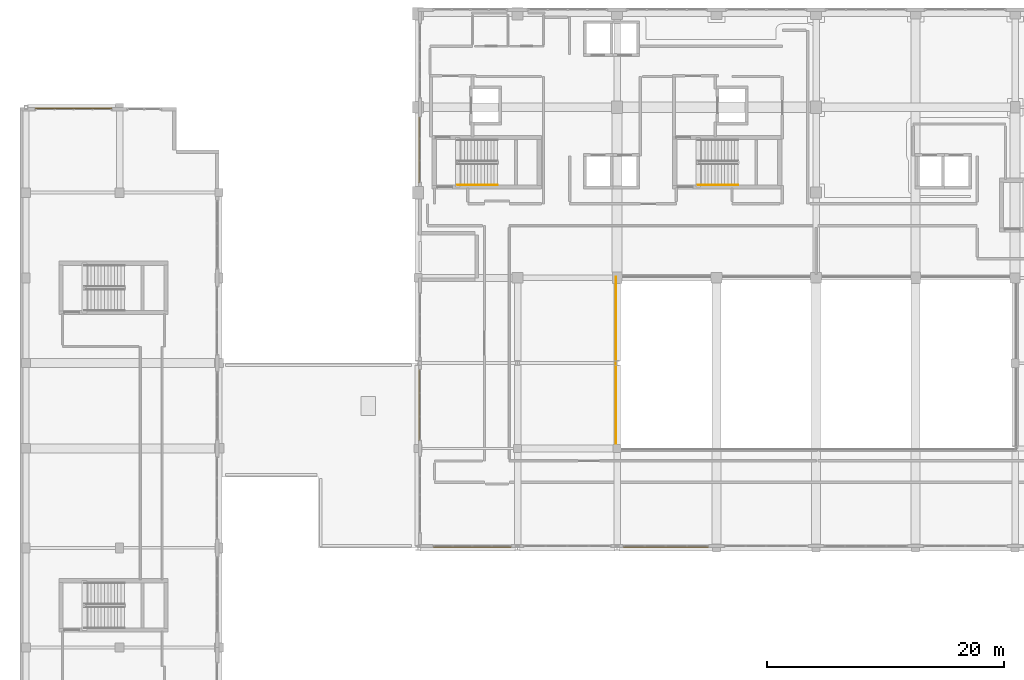
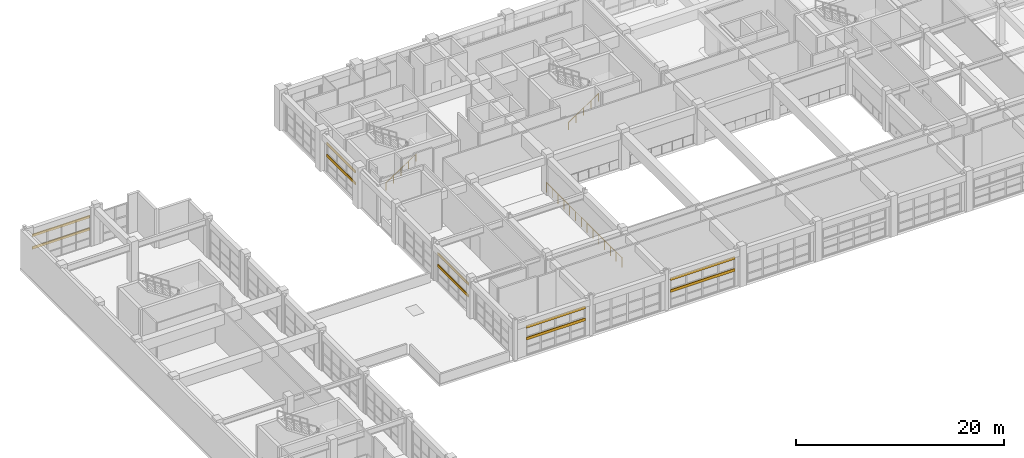
# One storey, part 117 of 123: 10 shading devices, 3 railings.
"""IFC4 building model written with IfcOpenShell, lengths in metres."""

from ifc_helpers import new_model, si_unit, direction, frame, origin, origin_2d, place, context, subcontext, project, spatial, hollow_rectangle, circle, extrude, material, material_profile, profile_set, type_object, element, save


model = new_model("IFC4")

# Units and contexts
model_context = context("Model", 3, precision=1e-05, world=origin(), true_north=direction((0.0, 1.0)))
body_context = subcontext(model_context, "Body", "Model", "MODEL_VIEW")
ifc_project = project(units=[si_unit("LENGTHUNIT", "METRE"), si_unit("AREAUNIT", "SQUARE_METRE"), si_unit("VOLUMEUNIT", "CUBIC_METRE"), si_unit("PLANEANGLEUNIT", "RADIAN"), si_unit("MASSUNIT", "GRAM", prefix="KILO")], contexts=[model_context])

# Site, building, storey
site_placement = place(None, origin())
site = spatial("IfcSite", under=ifc_project, at=site_placement, CompositionType="ELEMENT")
building_placement = place(site_placement, origin())
building = spatial("IfcBuilding", under=site, at=building_placement, Name="Quendrovan Civic Courthouse", CompositionType="ELEMENT")
storey_placement = place(building_placement, frame((0.0, 0.0, 5.39990234375)))
storey = spatial("IfcBuildingStorey", under=building, at=storey_placement, Name="L02", CompositionType="ELEMENT", Elevation=5.39990234375)

# Railings
ifc_material = material(Name="Bronze anodised aluminium", Category="aluminium")
railing_type_1 = type_object("IfcRailingType", Name="RL-ATR-GUARD1100", PredefinedType="GUARDRAIL", material=ifc_material)
railing_placement = place(storey_placement, frame((50.320068359375, 87.679931640625, 0.0)))
element("IfcRailing", 1, at=railing_placement, inside=storey, type_object=railing_type_1, Name="L02 Atrium and Well Perimeter Guardrail 019", PredefinedType="GUARDRAIL", context=body_context, shape_type="SweptSolid", body=[
    extrude(circle(Radius=0.02392578125, at=origin_2d()), frame((0.0, 0.0, 1.09619140625), z_axis=(0.0, -1.0, 0.0), x_axis=(1.0, 0.0, 0.0)), (0.0, 0.0, 1.0), 14.559814453125),
    extrude(circle(Radius=0.02099609375, at=origin_2d()), origin(), (0.0, 0.0, 1.0), 1.072021484375),
    extrude(circle(Radius=0.02099609375, at=origin_2d()), frame((0.0, -1.119873046875, 0.0)), (0.0, 0.0, 1.0), 1.072021484375),
    extrude(circle(Radius=0.02099609375, at=origin_2d()), frame((0.0, -2.239990234375, 0.0)), (0.0, 0.0, 1.0), 1.072021484375),
    extrude(circle(Radius=0.02099609375, at=origin_2d()), frame((0.0, -3.35986328125, 0.0)), (0.0, 0.0, 1.0), 1.072021484375),
    extrude(circle(Radius=0.02099609375, at=origin_2d()), frame((0.0, -4.47998046875, 0.0)), (0.0, 0.0, 1.0), 1.072021484375),
    extrude(circle(Radius=0.02099609375, at=origin_2d()), frame((0.0, -5.599853515625, 0.0)), (0.0, 0.0, 1.0), 1.072021484375),
    extrude(circle(Radius=0.02099609375, at=origin_2d()), frame((0.0, -6.719970703125, 0.0)), (0.0, 0.0, 1.0), 1.072021484375),
    extrude(circle(Radius=0.02099609375, at=origin_2d()), frame((0.0, -7.83984375, 0.0)), (0.0, 0.0, 1.0), 1.072021484375),
    extrude(circle(Radius=0.02099609375, at=origin_2d()), frame((0.0, -8.9599609375, 0.0)), (0.0, 0.0, 1.0), 1.072021484375),
    extrude(circle(Radius=0.02099609375, at=origin_2d()), frame((0.0, -10.079833984375, 0.0)), (0.0, 0.0, 1.0), 1.072021484375),
    extrude(circle(Radius=0.02099609375, at=origin_2d()), frame((0.0, -11.199951171875, 0.0)), (0.0, 0.0, 1.0), 1.072021484375),
    extrude(circle(Radius=0.02099609375, at=origin_2d()), frame((0.0, -12.31982421875, 0.0)), (0.0, 0.0, 1.0), 1.072021484375),
    extrude(circle(Radius=0.02099609375, at=origin_2d()), frame((0.0, -13.43994140625, 0.0)), (0.0, 0.0, 1.0), 1.072021484375),
    extrude(circle(Radius=0.02099609375, at=origin_2d()), frame((0.0, -14.559814453125, 0.0)), (0.0, 0.0, 1.0), 1.072021484375),
])
railing_type_2 = type_object("IfcRailingType", Name="RL-STR-HAND900", PredefinedType="HANDRAIL", material=ifc_material)
for number, where, name in (
    (2, (36.949951171875, 95.449951171875, 0.184814453125), "L02 ST1 stair handrail 1"),
    (3, (57.25, 95.449951171875, 0.184814453125), "L02 ST2 stair handrail 1"),
):
    element("IfcRailing", number, at=place(storey_placement, frame(where)), inside=storey, type_object=railing_type_2, Name=name, PredefinedType="HANDRAIL", context=body_context, shape_type="SweptSolid", body=[
        extrude(circle(Radius=0.02392578125, at=origin_2d()), frame((0.0, 0.0, 0.8759765625), z_axis=(0.834876476806, 0.0, 0.550437342915), x_axis=(0.0, 1.0, 0.0)), (0.0, 0.0, 1.0), 4.024658203125),
        extrude(circle(Radius=0.02099609375, at=origin_2d()), origin(), (0.0, 0.0, 1.0), 0.851806640625),
        extrude(circle(Radius=0.02099609375, at=origin_2d()), frame((0.840087890625, 0.0, 0.5537109375)), (0.0, 0.0, 1.0), 0.851806640625),
        extrude(circle(Radius=0.02099609375, at=origin_2d()), frame((1.68017578125, 0.0, 1.107666015625)), (0.0, 0.0, 1.0), 0.851806640625),
        extrude(circle(Radius=0.02099609375, at=origin_2d()), frame((2.52001953125, 0.0, 1.66162109375)), (0.0, 0.0, 1.0), 0.851806640625),
        extrude(circle(Radius=0.02099609375, at=origin_2d()), frame((3.360107421875, 0.0, 2.21533203125)), (0.0, 0.0, 1.0), 0.851806640625),
    ])

# Shading devices
ifc_material_profile = material_profile(ifc_material, hollow_rectangle(XDim=0.06494140625, YDim=0.320068359375, WallThickness=0.0048828125, at=origin_2d()), Name="AL-LOUVRE-65x320")
ifc_profile_set = profile_set([ifc_material_profile], Name="Bronze anodised aluminium")
shading_device_type = type_object("IfcShadingDeviceType", Name="SHD-STORM-LOUVRE", PredefinedType="JALOUSIE", material=ifc_profile_set)
for number, where, z_axis, x_axis, name in (
    (4, (1.300048828125, 101.9150390625, 1.9501953125), (1.0, 0.0, 0.0), (0.0, 1.0, 0.0), "L02 Bronze Hurricane Storm Louvre SLV-067"),
    (5, (1.300048828125, 101.9150390625, 3.41015625), (1.0, 0.0, 0.0), (0.0, 1.0, 0.0), "L02 Bronze Hurricane Storm Louvre SLV-068"),
):
    element("IfcShadingDevice", number, at=place(storey_placement, frame(where, z_axis=z_axis, x_axis=x_axis)), inside=storey, type_object=shading_device_type, Name=name, PredefinedType="JALOUSIE", context=body_context, shape_type="SweptSolid", body=[
        extrude(hollow_rectangle(XDim=0.06494140625, YDim=0.320068359375, WallThickness=0.0048828125, at=origin_2d()), origin(), (0.0, 0.0, 1.0), 6.425048828125),
    ])
for number, where, z_axis, x_axis, name in (
    (6, (33.68505859375, 95.675048828125, 1.9501953125), (0.0, 1.0, 0.0), (-1.0, 0.0, 0.0), "L02 Bronze Hurricane Storm Louvre SLV-079"),
    (7, (33.68505859375, 95.675048828125, 3.35009765625), (0.0, 1.0, 0.0), (-1.0, 0.0, 0.0), "L02 Bronze Hurricane Storm Louvre SLV-080"),
):
    element("IfcShadingDevice", number, at=place(storey_placement, frame(where, z_axis=z_axis, x_axis=x_axis)), inside=storey, type_object=shading_device_type, Name=name, PredefinedType="JALOUSIE", context=body_context, shape_type="SweptSolid", body=[
        extrude(hollow_rectangle(XDim=0.06494140625, YDim=0.320068359375, WallThickness=0.0048828125, at=origin_2d()), origin(), (0.0, 0.0, 1.0), 5.5),
    ])
for number, where, z_axis, x_axis, name in (
    (8, (58.10009765625, 64.885009765625, 1.9501953125), (-1.0, 0.0, 0.0), (0.0, -1.0, 0.0), "L02 Bronze Hurricane Storm Louvre SLV-111"),
    (9, (58.10009765625, 64.885009765625, 3.35009765625), (-1.0, 0.0, 0.0), (0.0, -1.0, 0.0), "L02 Bronze Hurricane Storm Louvre SLV-112"),
):
    element("IfcShadingDevice", number, at=place(storey_placement, frame(where, z_axis=z_axis, x_axis=x_axis)), inside=storey, type_object=shading_device_type, Name=name, PredefinedType="JALOUSIE", context=body_context, shape_type="SweptSolid", body=[
        extrude(hollow_rectangle(XDim=0.06494140625, YDim=0.320068359375, WallThickness=0.0048828125, at=origin_2d()), origin(), (0.0, 0.0, 1.0), 7.1630859375),
    ])
for number, where, z_axis, x_axis, name in (
    (10, (41.462890625, 64.885009765625, 1.9501953125), (-1.0, 0.0, 0.0), (0.0, -1.0, 0.0), "L02 Bronze Hurricane Storm Louvre SLV-113"),
    (11, (41.462890625, 64.885009765625, 3.35009765625), (-1.0, 0.0, 0.0), (0.0, -1.0, 0.0), "L02 Bronze Hurricane Storm Louvre SLV-114"),
):
    element("IfcShadingDevice", number, at=place(storey_placement, frame(where, z_axis=z_axis, x_axis=x_axis)), inside=storey, type_object=shading_device_type, Name=name, PredefinedType="JALOUSIE", context=body_context, shape_type="SweptSolid", body=[
        extrude(hollow_rectangle(XDim=0.06494140625, YDim=0.320068359375, WallThickness=0.0048828125, at=origin_2d()), origin(), (0.0, 0.0, 1.0), 6.56298828125),
    ])
for number, where, z_axis, x_axis, name in (
    (12, (33.68505859375, 73.89990234375, 1.9501953125), (0.0, 1.0, 0.0), (-1.0, 0.0, 0.0), "L02 Bronze Hurricane Storm Louvre SLV-115"),
    (13, (33.68505859375, 73.89990234375, 3.35009765625), (0.0, 1.0, 0.0), (-1.0, 0.0, 0.0), "L02 Bronze Hurricane Storm Louvre SLV-116"),
):
    element("IfcShadingDevice", number, at=place(storey_placement, frame(where, z_axis=z_axis, x_axis=x_axis)), inside=storey, type_object=shading_device_type, Name=name, PredefinedType="JALOUSIE", context=body_context, shape_type="SweptSolid", body=[
        extrude(hollow_rectangle(XDim=0.06494140625, YDim=0.320068359375, WallThickness=0.0048828125, at=origin_2d()), origin(), (0.0, 0.0, 1.0), 5.963134765625),
    ])

save(model, "model.ifc")
